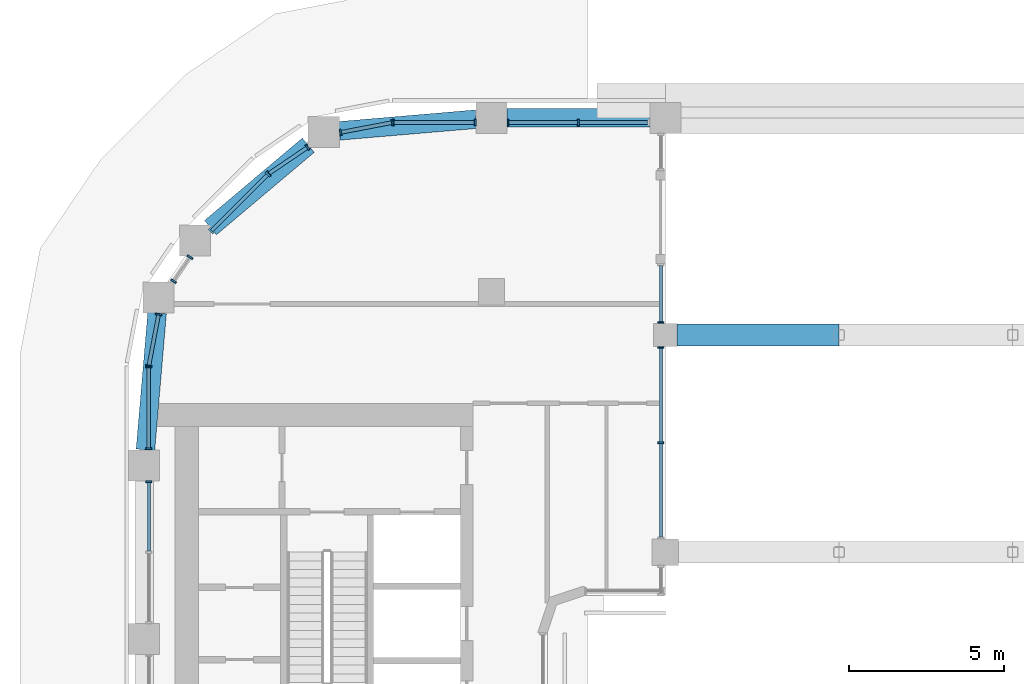
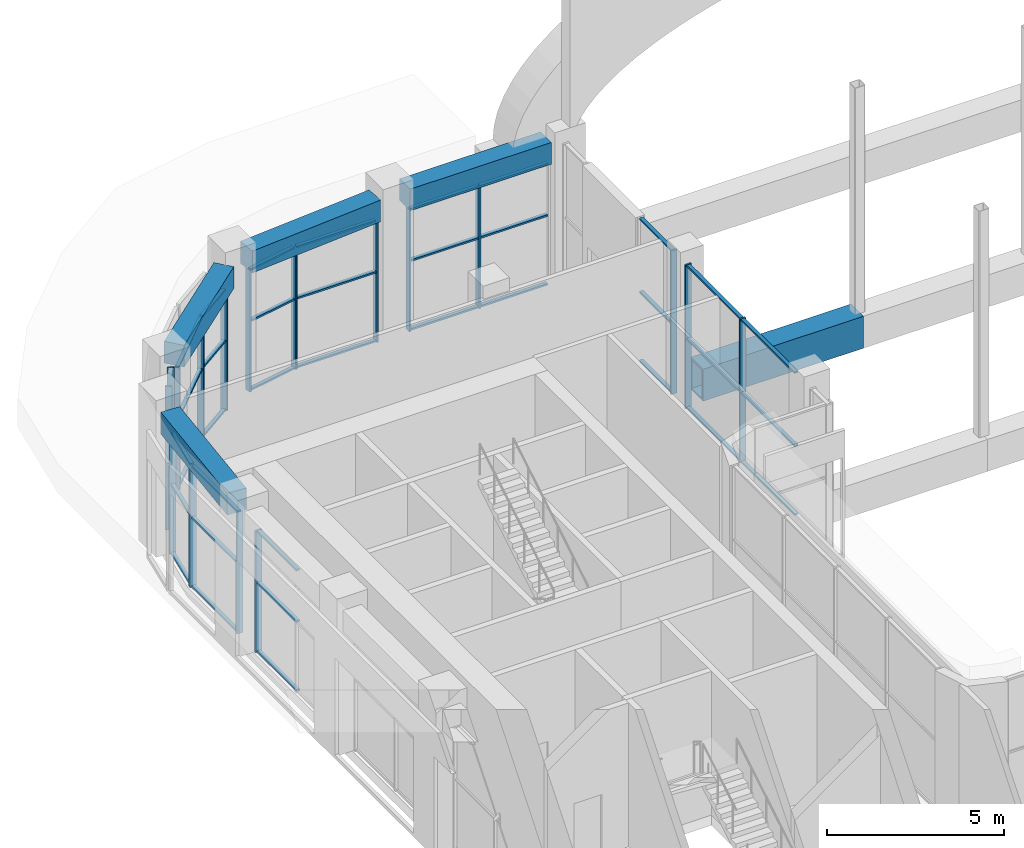
# One storey, part 8 of 28: 57 members, 4 beams, 11 elements without a shape of their own.
"""IFC4 building model written with IfcOpenShell, lengths in metres."""

from ifc_helpers import new_model, si_unit, direction, frame, origin, origin_2d, place, context, subcontext, project, spatial, rectangle, hollow_rectangle, extrude, material, layer, layer_set, material_profile, profile_set, type_object, element, aggregate, save


model = new_model("IFC4")

# Units and contexts
model_context = context("Model", 3, precision=1e-05, world=origin(), true_north=direction((0.0, 1.0)))
body_context = subcontext(model_context, "Body", "Model", "MODEL_VIEW")
ifc_project = project(units=[si_unit("LENGTHUNIT", "METRE"), si_unit("AREAUNIT", "SQUARE_METRE"), si_unit("VOLUMEUNIT", "CUBIC_METRE"), si_unit("PLANEANGLEUNIT", "RADIAN"), si_unit("MASSUNIT", "GRAM", prefix="KILO")], contexts=[model_context])

# Site, building, storey
site_placement = place(None, origin())
site = spatial("IfcSite", under=ifc_project, at=site_placement, CompositionType="ELEMENT")
building_placement = place(site_placement, origin())
building = spatial("IfcBuilding", under=site, at=building_placement, Name="Kiln Ring Residences", CompositionType="ELEMENT")
storey_placement = place(building_placement, frame((0.0, 0.0, 178.10009765625)))
storey = spatial("IfcBuildingStorey", under=building, at=storey_placement, Name="L46", CompositionType="ELEMENT", Elevation=178.10009765625)

# Member
ifc_material_1 = material(Name="Steel S460", Category="steel")
ifc_material_profile_1 = material_profile(ifc_material_1, hollow_rectangle(XDim=0.699951171875, YDim=1.10009765625, WallThickness=0.06005859375, at=origin_2d()), Name="BOX1100x700x60")
ifc_profile_set_1 = profile_set([ifc_material_profile_1], Name="Steel S460")
member_type_1 = type_object("IfcMemberType", Name="Bridge truss chord BOX1100x700x60 S460", PredefinedType="CHORD", material=ifc_profile_set_1)
member_1_placement = place(storey_placement, frame((-10.824951171875, 15.39990234375, 0.5498046875), z_axis=(1.0, 0.0, 0.0), x_axis=(0.0, 1.0, 0.0)))
element("IfcMember", 1, at=member_1_placement, inside=storey, type_object=member_type_1, Name="Bridge truss chord L46 11", PredefinedType="CHORD", context=body_context, shape_type="SweptSolid", body=[
    extrude(hollow_rectangle(XDim=0.699951171875, YDim=1.10009765625, WallThickness=0.06005859375, at=origin_2d()), origin(), (0.0, 0.0, 1.0), 5.224853515625),
])

# Curtain wall, members
ifc_material_2 = material(Name="Aluminium and glass", Category="aluminium")
ifc_layer = layer(ifc_material_2, 0.199951171875)
ifc_layer_set = layer_set([ifc_layer], Name="CW1 CURTAIN WALL")
curtain_wall_type = type_object("IfcCurtainWallType", Name="CW1 CURTAIN WALL", PredefinedType="NOTDEFINED", material=ifc_layer_set)
placement = place(storey_placement, origin())
curtain_wall_1 = element("IfcCurtainWall", 2, at=placement, inside=storey, type_object=curtain_wall_type, Name="Curtain wall CW1 L46", PredefinedType="NOTDEFINED")
ifc_material_3 = material(Name="Aluminium 6063-T6", Category="aluminium")
ifc_material_profile_2 = material_profile(ifc_material_3, rectangle(XDim=0.199951171875, YDim=0.06005859375, at=origin_2d()), Name="AL 200x60")
ifc_profile_set_2 = profile_set([ifc_material_profile_2], Name="Aluminium 6063-T6")
member_type_2 = type_object("IfcMemberType", Name="CW1 MULLION 200 x 60", PredefinedType="MULLION", material=ifc_profile_set_2)
member_2_placement = place(storey_placement, frame((-11.35009765625, 11.925048828125, 0.0), z_axis=(0.0, 0.0, 1.0), x_axis=(-1.0, 0.0, 0.0)))
member_2 = element("IfcMember", 3, at=member_2_placement, type_object=member_type_2, Name="CW1 mullion 2", PredefinedType="MULLION", context=body_context, shape_type="SweptSolid", body=[
    extrude(rectangle(XDim=0.199951171875, YDim=0.06005859375, at=origin_2d()), origin(), (0.0, 0.0, 1.0), 4.949951171875),
])
member_3_placement = place(storey_placement, frame((-11.35009765625, 14.9951171875, 0.0), z_axis=(0.0, 0.0, 1.0), x_axis=(-1.0, 0.0, 0.0)))
member_3 = element("IfcMember", 4, at=member_3_placement, type_object=member_type_2, Name="CW1 mullion 3", PredefinedType="MULLION", context=body_context, shape_type="SweptSolid", body=[
    extrude(rectangle(XDim=0.199951171875, YDim=0.06005859375, at=origin_2d()), origin(), (0.0, 0.0, 1.0), 4.949951171875),
])

# Curtain wall, member
curtain_wall_2 = element("IfcCurtainWall", 5, at=placement, inside=storey, type_object=curtain_wall_type, Name="Curtain wall CW1 L46", PredefinedType="NOTDEFINED")
member_4_placement = place(storey_placement, frame((-11.35009765625, 15.804931640625, 0.0), z_axis=(0.0, 0.0, 1.0), x_axis=(-1.0, 0.0, 0.0)))
member_4 = element("IfcMember", 6, at=member_4_placement, type_object=member_type_2, Name="CW1 mullion 1", PredefinedType="MULLION", context=body_context, shape_type="SweptSolid", body=[
    extrude(rectangle(XDim=0.199951171875, YDim=0.06005859375, at=origin_2d()), origin(), (0.0, 0.0, 1.0), 4.949951171875),
])

# Curtain wall, members
curtain_wall_3 = element("IfcCurtainWall", 7, at=placement, inside=storey, type_object=curtain_wall_type, Name="Curtain wall CW1 L46", PredefinedType="NOTDEFINED")
member_5_placement = place(storey_placement, frame((-14.0, 22.25, 0.0), z_axis=(0.0, 0.0, 1.0), x_axis=(0.0, -1.0, 0.0)))
member_5 = element("IfcMember", 8, at=member_5_placement, type_object=member_type_2, Name="CW1 mullion 2", PredefinedType="MULLION", context=body_context, shape_type="SweptSolid", body=[
    extrude(rectangle(XDim=0.199951171875, YDim=0.06005859375, at=origin_2d()), origin(), (0.0, 0.0, 1.0), 4.199951171875),
])
member_6_placement = place(storey_placement, frame((-16.27001953125, 22.25, 0.0), z_axis=(0.0, 0.0, 1.0), x_axis=(0.0, -1.0, 0.0)))
member_6 = element("IfcMember", 9, at=member_6_placement, type_object=member_type_2, Name="CW1 mullion 3", PredefinedType="MULLION", context=body_context, shape_type="SweptSolid", body=[
    extrude(rectangle(XDim=0.199951171875, YDim=0.06005859375, at=origin_2d()), origin(), (0.0, 0.0, 1.0), 4.199951171875),
])

curtain_wall_4 = element("IfcCurtainWall", 10, at=placement, inside=storey, type_object=curtain_wall_type, Name="Curtain wall CW1 L46", PredefinedType="NOTDEFINED")
member_7_placement = place(storey_placement, frame((-17.330078125, 22.25, 0.0), z_axis=(0.0, 0.0, 1.0), x_axis=(0.0, -1.0, 0.0)))
member_7 = element("IfcMember", 11, at=member_7_placement, type_object=member_type_2, Name="CW1 mullion 1", PredefinedType="MULLION", context=body_context, shape_type="SweptSolid", body=[
    extrude(rectangle(XDim=0.199951171875, YDim=0.06005859375, at=origin_2d()), origin(), (0.0, 0.0, 1.0), 4.199951171875),
])
member_8_placement = place(storey_placement, frame((-19.969970703125, 22.25, 0.0), z_axis=(0.0, 0.0, 1.0), x_axis=(0.0, -1.0, 0.0)))
member_8 = element("IfcMember", 12, at=member_8_placement, type_object=member_type_2, Name="CW1 mullion 2", PredefinedType="MULLION", context=body_context, shape_type="SweptSolid", body=[
    extrude(rectangle(XDim=0.199951171875, YDim=0.06005859375, at=origin_2d()), origin(), (0.0, 0.0, 1.0), 4.199951171875),
])

curtain_wall_5 = element("IfcCurtainWall", 13, at=placement, inside=storey, type_object=curtain_wall_type, Name="Curtain wall CW1 L46", PredefinedType="NOTDEFINED")
member_9_placement = place(storey_placement, frame((-20.00146484375, 22.2470703125, 0.0), z_axis=(0.0, 0.0, 1.0), x_axis=(0.187365550227, -0.98229025781, 0.0)))
member_9 = element("IfcMember", 14, at=member_9_placement, type_object=member_type_2, Name="CW1 mullion 1", PredefinedType="MULLION", context=body_context, shape_type="SweptSolid", body=[
    extrude(rectangle(XDim=0.199951171875, YDim=0.06005859375, at=origin_2d()), origin(), (0.0, 0.0, 1.0), 4.199951171875),
])
member_10_placement = place(storey_placement, frame((-21.66748046875, 21.92919921875, 0.0), z_axis=(0.0, 0.0, 1.0), x_axis=(0.187365550227, -0.98229025781, 0.0)))
member_10 = element("IfcMember", 15, at=member_10_placement, type_object=member_type_2, Name="CW1 mullion 2", PredefinedType="MULLION", context=body_context, shape_type="SweptSolid", body=[
    extrude(rectangle(XDim=0.199951171875, YDim=0.06005859375, at=origin_2d()), origin(), (0.0, 0.0, 1.0), 4.199951171875),
])

curtain_wall_6 = element("IfcCurtainWall", 16, at=placement, inside=storey, type_object=curtain_wall_type, Name="Curtain wall CW1 L46", PredefinedType="NOTDEFINED")
member_11_placement = place(storey_placement, frame((-22.7333984375, 21.4482421875, 0.0), z_axis=(0.0, 0.0, 1.0), x_axis=(0.562096651438, -0.827071553399, 0.0)))
member_11 = element("IfcMember", 17, at=member_11_placement, type_object=member_type_2, Name="CW1 mullion 1", PredefinedType="MULLION", context=body_context, shape_type="SweptSolid", body=[
    extrude(rectangle(XDim=0.199951171875, YDim=0.06005859375, at=origin_2d()), origin(), (0.0, 0.0, 1.0), 4.199951171875),
])
member_12_placement = place(storey_placement, frame((-23.988037109375, 20.595703125, 0.0), z_axis=(0.0, 0.0, 1.0), x_axis=(0.562096651438, -0.827071553399, 0.0)))
member_12 = element("IfcMember", 18, at=member_12_placement, type_object=member_type_2, Name="CW1 mullion 2", PredefinedType="MULLION", context=body_context, shape_type="SweptSolid", body=[
    extrude(rectangle(XDim=0.199951171875, YDim=0.06005859375, at=origin_2d()), origin(), (0.0, 0.0, 1.0), 4.199951171875),
])

curtain_wall_7 = element("IfcCurtainWall", 19, at=placement, inside=storey, type_object=curtain_wall_type, Name="Curtain wall CW1 L46", PredefinedType="NOTDEFINED")
member_13_placement = place(storey_placement, frame((-24.01220703125, 20.57568359375, 0.0), z_axis=(0.0, 0.0, 1.0), x_axis=(0.707106781187, -0.707106781187, 0.0)))
member_13 = element("IfcMember", 20, at=member_13_placement, type_object=member_type_2, Name="CW1 mullion 1", PredefinedType="MULLION", context=body_context, shape_type="SweptSolid", body=[
    extrude(rectangle(XDim=0.199951171875, YDim=0.06005859375, at=origin_2d()), origin(), (0.0, 0.0, 1.0), 4.199951171875),
])
member_14_placement = place(storey_placement, frame((-25.838623046875, 18.749267578125, 0.0), z_axis=(0.0, 0.0, 1.0), x_axis=(0.707106781187, -0.707106781187, 0.0)))
member_14 = element("IfcMember", 21, at=member_14_placement, type_object=member_type_2, Name="CW1 mullion 2", PredefinedType="MULLION", context=body_context, shape_type="SweptSolid", body=[
    extrude(rectangle(XDim=0.199951171875, YDim=0.06005859375, at=origin_2d()), origin(), (0.0, 0.0, 1.0), 4.199951171875),
])

curtain_wall_8 = element("IfcCurtainWall", 22, at=placement, inside=storey, type_object=curtain_wall_type, Name="Curtain wall CW1 L46", PredefinedType="NOTDEFINED")
member_15_placement = place(storey_placement, frame((-26.521240234375, 17.9091796875, 0.0), z_axis=(0.0, 0.0, 1.0), x_axis=(0.827071553409, -0.562096651423, 0.0)))
member_15 = element("IfcMember", 23, at=member_15_placement, type_object=member_type_2, Name="CW1 mullion 1", PredefinedType="MULLION", context=body_context, shape_type="SweptSolid", body=[
    extrude(rectangle(XDim=0.199951171875, YDim=0.06005859375, at=origin_2d()), origin(), (0.0, 0.0, 1.0), 4.949951171875),
])
member_16_placement = place(storey_placement, frame((-27.04833984375, 17.133544921875, 0.0), z_axis=(0.0, 0.0, 1.0), x_axis=(0.827071553409, -0.562096651423, 0.0)))
member_16 = element("IfcMember", 24, at=member_16_placement, type_object=member_type_2, Name="CW1 mullion 2", PredefinedType="MULLION", context=body_context, shape_type="SweptSolid", body=[
    extrude(rectangle(XDim=0.199951171875, YDim=0.06005859375, at=origin_2d()), origin(), (0.0, 0.0, 1.0), 4.949951171875),
])
aggregate(curtain_wall_8, [member_15, member_16])

curtain_wall_9 = element("IfcCurtainWall", 25, at=placement, inside=storey, type_object=curtain_wall_type, Name="Curtain wall CW1 L46", PredefinedType="NOTDEFINED")
member_17_placement = place(storey_placement, frame((-27.529296875, 16.0673828125, 0.0), z_axis=(0.0, 0.0, 1.0), x_axis=(0.98229025781, -0.187365550227, 0.0)))
member_17 = element("IfcMember", 26, at=member_17_placement, type_object=member_type_2, Name="CW1 mullion 1", PredefinedType="MULLION", context=body_context, shape_type="SweptSolid", body=[
    extrude(rectangle(XDim=0.199951171875, YDim=0.06005859375, at=origin_2d()), origin(), (0.0, 0.0, 1.0), 4.199951171875),
])
member_18_placement = place(storey_placement, frame((-27.846923828125, 14.4013671875, 0.0), z_axis=(0.0, 0.0, 1.0), x_axis=(0.98229025781, -0.187365550227, 0.0)))
member_18 = element("IfcMember", 27, at=member_18_placement, type_object=member_type_2, Name="CW1 mullion 2", PredefinedType="MULLION", context=body_context, shape_type="SweptSolid", body=[
    extrude(rectangle(XDim=0.199951171875, YDim=0.06005859375, at=origin_2d()), origin(), (0.0, 0.0, 1.0), 4.199951171875),
])

curtain_wall_10 = element("IfcCurtainWall", 28, at=placement, inside=storey, type_object=curtain_wall_type, Name="Curtain wall CW1 L46", PredefinedType="NOTDEFINED")
member_19_placement = place(storey_placement, frame((-27.85009765625, 14.3701171875, 0.0), z_axis=(0.0, 0.0, 1.0), x_axis=(1.0, 0.0, 0.0)))
member_19 = element("IfcMember", 29, at=member_19_placement, type_object=member_type_2, Name="CW1 mullion 1", PredefinedType="MULLION", context=body_context, shape_type="SweptSolid", body=[
    extrude(rectangle(XDim=0.199951171875, YDim=0.06005859375, at=origin_2d()), origin(), (0.0, 0.0, 1.0), 4.199951171875),
])
member_20_placement = place(storey_placement, frame((-27.85009765625, 11.72998046875, 0.0), z_axis=(0.0, 0.0, 1.0), x_axis=(1.0, 0.0, 0.0)))
member_20 = element("IfcMember", 30, at=member_20_placement, type_object=member_type_2, Name="CW1 mullion 2", PredefinedType="MULLION", context=body_context, shape_type="SweptSolid", body=[
    extrude(rectangle(XDim=0.199951171875, YDim=0.06005859375, at=origin_2d()), origin(), (0.0, 0.0, 1.0), 4.199951171875),
])

# Curtain wall, member
curtain_wall_11 = element("IfcCurtainWall", 31, at=placement, inside=storey, type_object=curtain_wall_type, Name="Curtain wall CW1 L46", PredefinedType="NOTDEFINED")
member_21_placement = place(storey_placement, frame((-27.85009765625, 10.669921875, 0.0), z_axis=(0.0, 0.0, 1.0), x_axis=(1.0, 0.0, 0.0)))
member_21 = element("IfcMember", 32, at=member_21_placement, type_object=member_type_2, Name="CW1 mullion 1", PredefinedType="MULLION", context=body_context, shape_type="SweptSolid", body=[
    extrude(rectangle(XDim=0.199951171875, YDim=0.06005859375, at=origin_2d()), origin(), (0.0, 0.0, 1.0), 4.199951171875),
])

# Member
ifc_material_4 = material(Name="Aluminium 6063-T6", Category="aluminium")
ifc_material_profile_3 = material_profile(ifc_material_4, rectangle(XDim=0.1201171875, YDim=0.06005859375, at=origin_2d()), Name="AL 120x60")
ifc_profile_set_3 = profile_set([ifc_material_profile_3], Name="Aluminium 6063-T6")
member_type_3 = type_object("IfcMemberType", Name="CW1 TRANSOM 120 x 60", PredefinedType="USERDEFINED", material=ifc_profile_set_3)
member_22_placement = place(storey_placement, frame((-11.35009765625, 8.885009765625, 0.02978515625), z_axis=(0.0, 1.0, 0.0), x_axis=(-1.0, 0.0, 0.0)))
member_22 = element("IfcMember", 33, at=member_22_placement, type_object=member_type_3, Name="CW1 transom 1.1", ObjectType="TRANSOM", PredefinedType="USERDEFINED", context=body_context, shape_type="SweptSolid", body=[
    extrude(rectangle(XDim=0.1201171875, YDim=0.06005859375, at=origin_2d()), origin(), (0.0, 0.0, 1.0), 3.010009765625),
])

member_23_placement = place(storey_placement, frame((-11.35009765625, 8.885009765625, 2.39990234375), z_axis=(0.0, 1.0, 0.0), x_axis=(-1.0, 0.0, 0.0)))
member_23 = element("IfcMember", 34, at=member_23_placement, type_object=member_type_3, Name="CW1 transom 1.2", ObjectType="TRANSOM", PredefinedType="USERDEFINED", context=body_context, shape_type="SweptSolid", body=[
    extrude(rectangle(XDim=0.1201171875, YDim=0.06005859375, at=origin_2d()), origin(), (0.0, 0.0, 1.0), 3.010009765625),
])

member_24_placement = place(storey_placement, frame((-11.35009765625, 8.885009765625, 4.919921875), z_axis=(0.0, 1.0, 0.0), x_axis=(-1.0, 0.0, 0.0)))
member_24 = element("IfcMember", 35, at=member_24_placement, type_object=member_type_3, Name="CW1 transom 1.3", ObjectType="TRANSOM", PredefinedType="USERDEFINED", context=body_context, shape_type="SweptSolid", body=[
    extrude(rectangle(XDim=0.1201171875, YDim=0.06005859375, at=origin_2d()), origin(), (0.0, 0.0, 1.0), 3.010009765625),
])

member_25_placement = place(storey_placement, frame((-11.35009765625, 11.955078125, 0.02978515625), z_axis=(0.0, 1.0, 0.0), x_axis=(-1.0, 0.0, 0.0)))
member_25 = element("IfcMember", 36, at=member_25_placement, type_object=member_type_3, Name="CW1 transom 2.1", ObjectType="TRANSOM", PredefinedType="USERDEFINED", context=body_context, shape_type="SweptSolid", body=[
    extrude(rectangle(XDim=0.1201171875, YDim=0.06005859375, at=origin_2d()), origin(), (0.0, 0.0, 1.0), 3.010009765625),
])

member_26_placement = place(storey_placement, frame((-11.35009765625, 11.955078125, 2.39990234375), z_axis=(0.0, 1.0, 0.0), x_axis=(-1.0, 0.0, 0.0)))
member_26 = element("IfcMember", 37, at=member_26_placement, type_object=member_type_3, Name="CW1 transom 2.2", ObjectType="TRANSOM", PredefinedType="USERDEFINED", context=body_context, shape_type="SweptSolid", body=[
    extrude(rectangle(XDim=0.1201171875, YDim=0.06005859375, at=origin_2d()), origin(), (0.0, 0.0, 1.0), 3.010009765625),
])

member_27_placement = place(storey_placement, frame((-11.35009765625, 11.955078125, 4.919921875), z_axis=(0.0, 1.0, 0.0), x_axis=(-1.0, 0.0, 0.0)))
member_27 = element("IfcMember", 38, at=member_27_placement, type_object=member_type_3, Name="CW1 transom 2.3", ObjectType="TRANSOM", PredefinedType="USERDEFINED", context=body_context, shape_type="SweptSolid", body=[
    extrude(rectangle(XDim=0.1201171875, YDim=0.06005859375, at=origin_2d()), origin(), (0.0, 0.0, 1.0), 3.010009765625),
])

aggregate(curtain_wall_1, [member_2, member_3, member_22, member_23, member_24, member_25, member_26, member_27])

member_28_placement = place(storey_placement, frame((-11.35009765625, 15.8349609375, 0.02978515625), z_axis=(0.0, 1.0, 0.0), x_axis=(-1.0, 0.0, 0.0)))
member_28 = element("IfcMember", 39, at=member_28_placement, type_object=member_type_3, Name="CW1 transom 1.1", ObjectType="TRANSOM", PredefinedType="USERDEFINED", context=body_context, shape_type="SweptSolid", body=[
    extrude(rectangle(XDim=0.1201171875, YDim=0.06005859375, at=origin_2d()), origin(), (0.0, 0.0, 1.0), 1.804931640625),
])

member_29_placement = place(storey_placement, frame((-11.35009765625, 15.8349609375, 2.39990234375), z_axis=(0.0, 1.0, 0.0), x_axis=(-1.0, 0.0, 0.0)))
member_29 = element("IfcMember", 40, at=member_29_placement, type_object=member_type_3, Name="CW1 transom 1.2", ObjectType="TRANSOM", PredefinedType="USERDEFINED", context=body_context, shape_type="SweptSolid", body=[
    extrude(rectangle(XDim=0.1201171875, YDim=0.06005859375, at=origin_2d()), origin(), (0.0, 0.0, 1.0), 1.804931640625),
])

member_30_placement = place(storey_placement, frame((-11.35009765625, 15.8349609375, 4.919921875), z_axis=(0.0, 1.0, 0.0), x_axis=(-1.0, 0.0, 0.0)))
member_30 = element("IfcMember", 41, at=member_30_placement, type_object=member_type_3, Name="CW1 transom 1.3", ObjectType="TRANSOM", PredefinedType="USERDEFINED", context=body_context, shape_type="SweptSolid", body=[
    extrude(rectangle(XDim=0.1201171875, YDim=0.06005859375, at=origin_2d()), origin(), (0.0, 0.0, 1.0), 1.804931640625),
])

aggregate(curtain_wall_2, [member_4, member_28, member_29, member_30])

member_31_placement = place(storey_placement, frame((-11.760009765625, 22.25, 0.02978515625), z_axis=(-1.0, 0.0, 0.0), x_axis=(0.0, -1.0, 0.0)))
member_31 = element("IfcMember", 42, at=member_31_placement, type_object=member_type_3, Name="CW1 transom 1.1", ObjectType="TRANSOM", PredefinedType="USERDEFINED", context=body_context, shape_type="SweptSolid", body=[
    extrude(rectangle(XDim=0.1201171875, YDim=0.06005859375, at=origin_2d()), origin(), (0.0, 0.0, 1.0), 2.2099609375),
])

member_32_placement = place(storey_placement, frame((-11.760009765625, 22.25, 2.39990234375), z_axis=(-1.0, 0.0, 0.0), x_axis=(0.0, -1.0, 0.0)))
member_32 = element("IfcMember", 43, at=member_32_placement, type_object=member_type_3, Name="CW1 transom 1.2", ObjectType="TRANSOM", PredefinedType="USERDEFINED", context=body_context, shape_type="SweptSolid", body=[
    extrude(rectangle(XDim=0.1201171875, YDim=0.06005859375, at=origin_2d()), origin(), (0.0, 0.0, 1.0), 2.2099609375),
])

member_33_placement = place(storey_placement, frame((-11.760009765625, 22.25, 4.169921875), z_axis=(-1.0, 0.0, 0.0), x_axis=(0.0, -1.0, 0.0)))
member_33 = element("IfcMember", 44, at=member_33_placement, type_object=member_type_3, Name="CW1 transom 1.3", ObjectType="TRANSOM", PredefinedType="USERDEFINED", context=body_context, shape_type="SweptSolid", body=[
    extrude(rectangle(XDim=0.1201171875, YDim=0.06005859375, at=origin_2d()), origin(), (0.0, 0.0, 1.0), 2.2099609375),
])

member_34_placement = place(storey_placement, frame((-14.030029296875, 22.25, 0.02978515625), z_axis=(-1.0, 0.0, 0.0), x_axis=(0.0, -1.0, 0.0)))
member_34 = element("IfcMember", 45, at=member_34_placement, type_object=member_type_3, Name="CW1 transom 2.1", ObjectType="TRANSOM", PredefinedType="USERDEFINED", context=body_context, shape_type="SweptSolid", body=[
    extrude(rectangle(XDim=0.1201171875, YDim=0.06005859375, at=origin_2d()), origin(), (0.0, 0.0, 1.0), 2.2099609375),
])

member_35_placement = place(storey_placement, frame((-14.030029296875, 22.25, 2.39990234375), z_axis=(-1.0, 0.0, 0.0), x_axis=(0.0, -1.0, 0.0)))
member_35 = element("IfcMember", 46, at=member_35_placement, type_object=member_type_3, Name="CW1 transom 2.2", ObjectType="TRANSOM", PredefinedType="USERDEFINED", context=body_context, shape_type="SweptSolid", body=[
    extrude(rectangle(XDim=0.1201171875, YDim=0.06005859375, at=origin_2d()), origin(), (0.0, 0.0, 1.0), 2.2099609375),
])

member_36_placement = place(storey_placement, frame((-14.030029296875, 22.25, 4.169921875), z_axis=(-1.0, 0.0, 0.0), x_axis=(0.0, -1.0, 0.0)))
member_36 = element("IfcMember", 47, at=member_36_placement, type_object=member_type_3, Name="CW1 transom 2.3", ObjectType="TRANSOM", PredefinedType="USERDEFINED", context=body_context, shape_type="SweptSolid", body=[
    extrude(rectangle(XDim=0.1201171875, YDim=0.06005859375, at=origin_2d()), origin(), (0.0, 0.0, 1.0), 2.2099609375),
])

aggregate(curtain_wall_3, [member_5, member_6, member_31, member_32, member_33, member_34, member_35, member_36])

member_37_placement = place(storey_placement, frame((-17.360107421875, 22.25, 0.02978515625), z_axis=(-1.0, 0.0, 0.0), x_axis=(0.0, -1.0, 0.0)))
member_37 = element("IfcMember", 48, at=member_37_placement, type_object=member_type_3, Name="CW1 transom 1.1", ObjectType="TRANSOM", PredefinedType="USERDEFINED", context=body_context, shape_type="SweptSolid", body=[
    extrude(rectangle(XDim=0.1201171875, YDim=0.06005859375, at=origin_2d()), origin(), (0.0, 0.0, 1.0), 2.579833984375),
])

member_38_placement = place(storey_placement, frame((-17.360107421875, 22.25, 2.39990234375), z_axis=(-1.0, 0.0, 0.0), x_axis=(0.0, -1.0, 0.0)))
member_38 = element("IfcMember", 49, at=member_38_placement, type_object=member_type_3, Name="CW1 transom 1.2", ObjectType="TRANSOM", PredefinedType="USERDEFINED", context=body_context, shape_type="SweptSolid", body=[
    extrude(rectangle(XDim=0.1201171875, YDim=0.06005859375, at=origin_2d()), origin(), (0.0, 0.0, 1.0), 2.579833984375),
])

member_39_placement = place(storey_placement, frame((-17.360107421875, 22.25, 4.169921875), z_axis=(-1.0, 0.0, 0.0), x_axis=(0.0, -1.0, 0.0)))
member_39 = element("IfcMember", 50, at=member_39_placement, type_object=member_type_3, Name="CW1 transom 1.3", ObjectType="TRANSOM", PredefinedType="USERDEFINED", context=body_context, shape_type="SweptSolid", body=[
    extrude(rectangle(XDim=0.1201171875, YDim=0.06005859375, at=origin_2d()), origin(), (0.0, 0.0, 1.0), 2.579833984375),
])

aggregate(curtain_wall_4, [member_7, member_8, member_37, member_38, member_39])

member_40_placement = place(storey_placement, frame((-20.03076171875, 22.241455078125, 0.02978515625), z_axis=(-0.982281054437, -0.187413793768, 0.0), x_axis=(0.187413793768, -0.982281054437, 0.0)))
member_40 = element("IfcMember", 51, at=member_40_placement, type_object=member_type_3, Name="CW1 transom 1.1", ObjectType="TRANSOM", PredefinedType="USERDEFINED", context=body_context, shape_type="SweptSolid", body=[
    extrude(rectangle(XDim=0.1201171875, YDim=0.06005859375, at=origin_2d()), origin(), (0.0, 0.0, 1.0), 1.63623046875),
])

member_41_placement = place(storey_placement, frame((-20.03076171875, 22.241455078125, 2.39990234375), z_axis=(-0.982281054437, -0.187413793768, 0.0), x_axis=(0.187413793768, -0.982281054437, 0.0)))
member_41 = element("IfcMember", 52, at=member_41_placement, type_object=member_type_3, Name="CW1 transom 1.2", ObjectType="TRANSOM", PredefinedType="USERDEFINED", context=body_context, shape_type="SweptSolid", body=[
    extrude(rectangle(XDim=0.1201171875, YDim=0.06005859375, at=origin_2d()), origin(), (0.0, 0.0, 1.0), 1.63623046875),
])

member_42_placement = place(storey_placement, frame((-20.03076171875, 22.241455078125, 4.169921875), z_axis=(-0.982281054437, -0.187413793768, 0.0), x_axis=(0.187413793768, -0.982281054437, 0.0)))
member_42 = element("IfcMember", 53, at=member_42_placement, type_object=member_type_3, Name="CW1 transom 1.3", ObjectType="TRANSOM", PredefinedType="USERDEFINED", context=body_context, shape_type="SweptSolid", body=[
    extrude(rectangle(XDim=0.1201171875, YDim=0.06005859375, at=origin_2d()), origin(), (0.0, 0.0, 1.0), 1.63623046875),
])

aggregate(curtain_wall_5, [member_9, member_10, member_40, member_41, member_42])

member_43_placement = place(storey_placement, frame((-22.75830078125, 21.431396484375, 0.02978515625), z_axis=(-0.827066747583, -0.562103722673, 0.0), x_axis=(0.562103722673, -0.827066747583, 0.0)))
member_43 = element("IfcMember", 54, at=member_43_placement, type_object=member_type_3, Name="CW1 transom 1.1", ObjectType="TRANSOM", PredefinedType="USERDEFINED", context=body_context, shape_type="SweptSolid", body=[
    extrude(rectangle(XDim=0.1201171875, YDim=0.06005859375, at=origin_2d()), origin(), (0.0, 0.0, 1.0), 1.456787109375),
])

member_44_placement = place(storey_placement, frame((-22.75830078125, 21.431396484375, 2.39990234375), z_axis=(-0.827066747583, -0.562103722673, 0.0), x_axis=(0.562103722673, -0.827066747583, 0.0)))
member_44 = element("IfcMember", 55, at=member_44_placement, type_object=member_type_3, Name="CW1 transom 1.2", ObjectType="TRANSOM", PredefinedType="USERDEFINED", context=body_context, shape_type="SweptSolid", body=[
    extrude(rectangle(XDim=0.1201171875, YDim=0.06005859375, at=origin_2d()), origin(), (0.0, 0.0, 1.0), 1.456787109375),
])

member_45_placement = place(storey_placement, frame((-22.75830078125, 21.431396484375, 4.169921875), z_axis=(-0.827066747583, -0.562103722673, 0.0), x_axis=(0.562103722673, -0.827066747583, 0.0)))
member_45 = element("IfcMember", 56, at=member_45_placement, type_object=member_type_3, Name="CW1 transom 1.3", ObjectType="TRANSOM", PredefinedType="USERDEFINED", context=body_context, shape_type="SweptSolid", body=[
    extrude(rectangle(XDim=0.1201171875, YDim=0.06005859375, at=origin_2d()), origin(), (0.0, 0.0, 1.0), 1.456787109375),
])

aggregate(curtain_wall_6, [member_11, member_12, member_43, member_44, member_45])

member_46_placement = place(storey_placement, frame((-24.033447265625, 20.554443359375, 0.02978515625), z_axis=(-0.707106781187, -0.707106781187, 0.0), x_axis=(0.707106781187, -0.707106781187, 0.0)))
member_46 = element("IfcMember", 57, at=member_46_placement, type_object=member_type_3, Name="CW1 transom 1.1", ObjectType="TRANSOM", PredefinedType="USERDEFINED", context=body_context, shape_type="SweptSolid", body=[
    extrude(rectangle(XDim=0.1201171875, YDim=0.06005859375, at=origin_2d()), origin(), (0.0, 0.0, 1.0), 2.52294921875),
])

member_47_placement = place(storey_placement, frame((-24.033447265625, 20.554443359375, 2.39990234375), z_axis=(-0.707106781187, -0.707106781187, 0.0), x_axis=(0.707106781187, -0.707106781187, 0.0)))
member_47 = element("IfcMember", 58, at=member_47_placement, type_object=member_type_3, Name="CW1 transom 1.2", ObjectType="TRANSOM", PredefinedType="USERDEFINED", context=body_context, shape_type="SweptSolid", body=[
    extrude(rectangle(XDim=0.1201171875, YDim=0.06005859375, at=origin_2d()), origin(), (0.0, 0.0, 1.0), 2.52294921875),
])

member_48_placement = place(storey_placement, frame((-24.033447265625, 20.554443359375, 4.169921875), z_axis=(-0.707106781187, -0.707106781187, 0.0), x_axis=(0.707106781187, -0.707106781187, 0.0)))
member_48 = element("IfcMember", 59, at=member_48_placement, type_object=member_type_3, Name="CW1 transom 1.3", ObjectType="TRANSOM", PredefinedType="USERDEFINED", context=body_context, shape_type="SweptSolid", body=[
    extrude(rectangle(XDim=0.1201171875, YDim=0.06005859375, at=origin_2d()), origin(), (0.0, 0.0, 1.0), 2.52294921875),
])

aggregate(curtain_wall_7, [member_13, member_14, member_46, member_47, member_48])

member_49_placement = place(storey_placement, frame((-27.534912109375, 16.0380859375, 0.02978515625), z_axis=(-0.187269813936, -0.982308514057, 0.0), x_axis=(0.982308514057, -0.187269813936, 0.0)))
member_49 = element("IfcMember", 60, at=member_49_placement, type_object=member_type_3, Name="CW1 transom 1.1", ObjectType="TRANSOM", PredefinedType="USERDEFINED", context=body_context, shape_type="SweptSolid", body=[
    extrude(rectangle(XDim=0.1201171875, YDim=0.06005859375, at=origin_2d()), origin(), (0.0, 0.0, 1.0), 1.63623046875),
])

member_50_placement = place(storey_placement, frame((-27.534912109375, 16.0380859375, 2.39990234375), z_axis=(-0.187269813936, -0.982308514057, 0.0), x_axis=(0.982308514057, -0.187269813936, 0.0)))
member_50 = element("IfcMember", 61, at=member_50_placement, type_object=member_type_3, Name="CW1 transom 1.2", ObjectType="TRANSOM", PredefinedType="USERDEFINED", context=body_context, shape_type="SweptSolid", body=[
    extrude(rectangle(XDim=0.1201171875, YDim=0.06005859375, at=origin_2d()), origin(), (0.0, 0.0, 1.0), 1.63623046875),
])

member_51_placement = place(storey_placement, frame((-27.534912109375, 16.0380859375, 4.169921875), z_axis=(-0.187269813936, -0.982308514057, 0.0), x_axis=(0.982308514057, -0.187269813936, 0.0)))
member_51 = element("IfcMember", 62, at=member_51_placement, type_object=member_type_3, Name="CW1 transom 1.3", ObjectType="TRANSOM", PredefinedType="USERDEFINED", context=body_context, shape_type="SweptSolid", body=[
    extrude(rectangle(XDim=0.1201171875, YDim=0.06005859375, at=origin_2d()), origin(), (0.0, 0.0, 1.0), 1.63623046875),
])

aggregate(curtain_wall_9, [member_17, member_18, member_49, member_50, member_51])

member_52_placement = place(storey_placement, frame((-27.85009765625, 14.340087890625, 0.02978515625), z_axis=(0.0, -1.0, 0.0), x_axis=(1.0, 0.0, 0.0)))
member_52 = element("IfcMember", 63, at=member_52_placement, type_object=member_type_3, Name="CW1 transom 1.1", ObjectType="TRANSOM", PredefinedType="USERDEFINED", context=body_context, shape_type="SweptSolid", body=[
    extrude(rectangle(XDim=0.1201171875, YDim=0.06005859375, at=origin_2d()), origin(), (0.0, 0.0, 1.0), 2.580078125),
])

member_53_placement = place(storey_placement, frame((-27.85009765625, 14.340087890625, 2.39990234375), z_axis=(0.0, -1.0, 0.0), x_axis=(1.0, 0.0, 0.0)))
member_53 = element("IfcMember", 64, at=member_53_placement, type_object=member_type_3, Name="CW1 transom 1.2", ObjectType="TRANSOM", PredefinedType="USERDEFINED", context=body_context, shape_type="SweptSolid", body=[
    extrude(rectangle(XDim=0.1201171875, YDim=0.06005859375, at=origin_2d()), origin(), (0.0, 0.0, 1.0), 2.580078125),
])

member_54_placement = place(storey_placement, frame((-27.85009765625, 14.340087890625, 4.169921875), z_axis=(0.0, -1.0, 0.0), x_axis=(1.0, 0.0, 0.0)))
member_54 = element("IfcMember", 65, at=member_54_placement, type_object=member_type_3, Name="CW1 transom 1.3", ObjectType="TRANSOM", PredefinedType="USERDEFINED", context=body_context, shape_type="SweptSolid", body=[
    extrude(rectangle(XDim=0.1201171875, YDim=0.06005859375, at=origin_2d()), origin(), (0.0, 0.0, 1.0), 2.580078125),
])

aggregate(curtain_wall_10, [member_19, member_20, member_52, member_53, member_54])

member_55_placement = place(storey_placement, frame((-27.85009765625, 10.639892578125, 0.02978515625), z_axis=(0.0, -1.0, 0.0), x_axis=(1.0, 0.0, 0.0)))
member_55 = element("IfcMember", 66, at=member_55_placement, type_object=member_type_3, Name="CW1 transom 1.1", ObjectType="TRANSOM", PredefinedType="USERDEFINED", context=body_context, shape_type="SweptSolid", body=[
    extrude(rectangle(XDim=0.1201171875, YDim=0.06005859375, at=origin_2d()), origin(), (0.0, 0.0, 1.0), 2.2099609375),
])

member_56_placement = place(storey_placement, frame((-27.85009765625, 10.639892578125, 2.39990234375), z_axis=(0.0, -1.0, 0.0), x_axis=(1.0, 0.0, 0.0)))
member_56 = element("IfcMember", 67, at=member_56_placement, type_object=member_type_3, Name="CW1 transom 1.2", ObjectType="TRANSOM", PredefinedType="USERDEFINED", context=body_context, shape_type="SweptSolid", body=[
    extrude(rectangle(XDim=0.1201171875, YDim=0.06005859375, at=origin_2d()), origin(), (0.0, 0.0, 1.0), 2.2099609375),
])

member_57_placement = place(storey_placement, frame((-27.85009765625, 10.639892578125, 4.169921875), z_axis=(0.0, -1.0, 0.0), x_axis=(1.0, 0.0, 0.0)))
member_57 = element("IfcMember", 68, at=member_57_placement, type_object=member_type_3, Name="CW1 transom 1.3", ObjectType="TRANSOM", PredefinedType="USERDEFINED", context=body_context, shape_type="SweptSolid", body=[
    extrude(rectangle(XDim=0.1201171875, YDim=0.06005859375, at=origin_2d()), origin(), (0.0, 0.0, 1.0), 2.2099609375),
])

aggregate(curtain_wall_11, [member_21, member_55, member_56, member_57])

# Beams
ifc_material_5 = material(Name="Concrete C50/60", Category="concrete")
ifc_material_profile_4 = material_profile(ifc_material_5, rectangle(XDim=0.60009765625, YDim=0.75, at=origin_2d()), Name="RC600x750")
ifc_profile_set_4 = profile_set([ifc_material_profile_4], Name="Concrete C50/60")
beam_type = type_object("IfcBeamType", Name="Spandrel beam RC600x750 C50/60", PredefinedType="SPANDREL", material=ifc_profile_set_4)
beam_1_placement = place(storey_placement, frame((-11.699951171875, 22.39990234375, 4.574951171875), z_axis=(-1.0, 0.0, 0.0), x_axis=(0.0, -1.0, 0.0)))
element("IfcBeam", 69, at=beam_1_placement, inside=storey, type_object=beam_type, Name="Spandrel beam L46 15", PredefinedType="SPANDREL", context=body_context, shape_type="SweptSolid", body=[
    extrude(rectangle(XDim=0.60009765625, YDim=0.75, at=origin_2d()), origin(), (0.0, 0.0, 1.0), 4.60009765625),
])
beam_2_placement = place(storey_placement, frame((-17.300048828125, 22.357421875, 4.574951171875), z_axis=(-0.996369283519, -0.0851366599, 0.0), x_axis=(0.0851366599, -0.996369283519, 0.0)))
element("IfcBeam", 70, at=beam_2_placement, inside=storey, type_object=beam_type, Name="Spandrel beam L46 16", PredefinedType="SPANDREL", context=body_context, shape_type="SweptSolid", body=[
    extrude(rectangle(XDim=0.60009765625, YDim=0.75, at=origin_2d()), origin(), (0.0, 0.0, 1.0), 4.4248046875),
])
beam_3_placement = place(storey_placement, frame((-22.708740234375, 21.516845703125, 4.574951171875), z_axis=(-0.764708354916, -0.644376545136, 0.0), x_axis=(0.644376545136, -0.764708354916, 0.0)))
element("IfcBeam", 71, at=beam_3_placement, inside=storey, type_object=beam_type, Name="Spandrel beam L46 17", PredefinedType="SPANDREL", context=body_context, shape_type="SweptSolid", body=[
    extrude(rectangle(XDim=0.60009765625, YDim=0.75, at=origin_2d()), origin(), (0.0, 0.0, 1.0), 4.12060546875),
])
beam_4_placement = place(storey_placement, frame((-27.580810546875, 16.108642578125, 4.574951171875), z_axis=(-0.085081883384, -0.996373962486, 0.0), x_axis=(0.996373962486, -0.085081883384, 0.0)))
element("IfcBeam", 72, at=beam_4_placement, inside=storey, type_object=beam_type, Name="Spandrel beam L46 18", PredefinedType="SPANDREL", context=body_context, shape_type="SweptSolid", body=[
    extrude(rectangle(XDim=0.60009765625, YDim=0.75, at=origin_2d()), origin(), (0.0, 0.0, 1.0), 4.4248046875),
])

save(model, "model.ifc")
